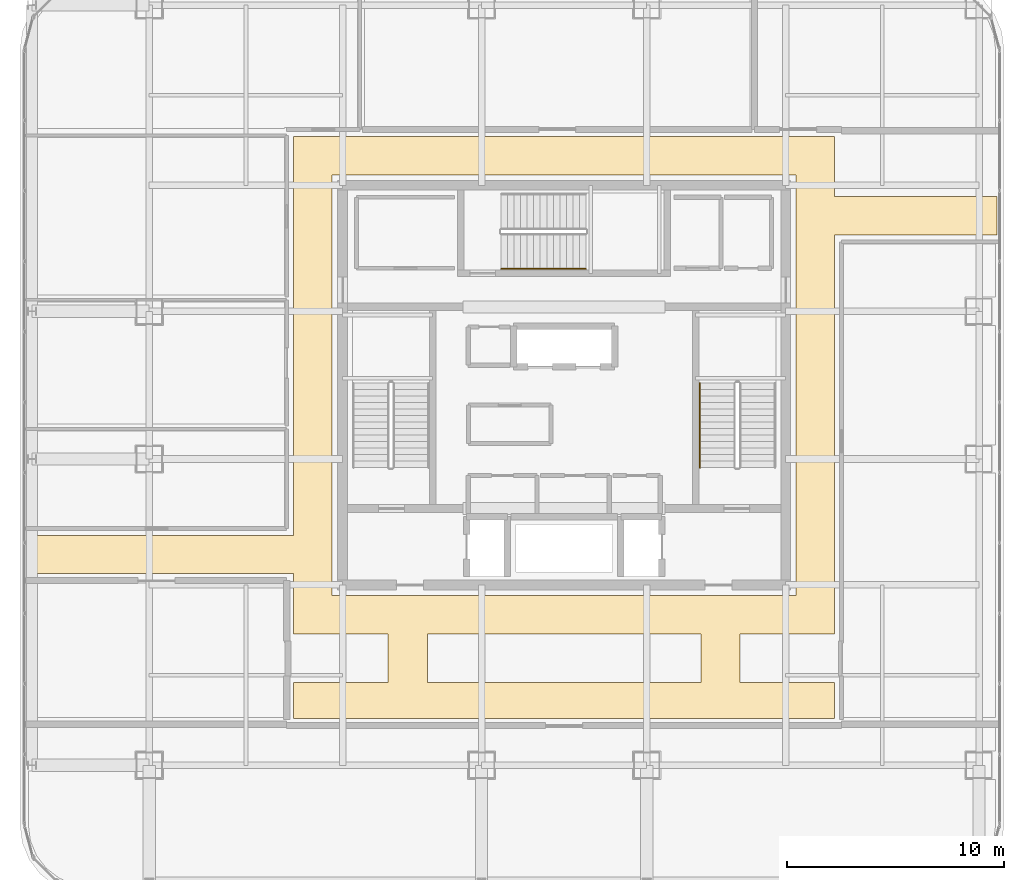
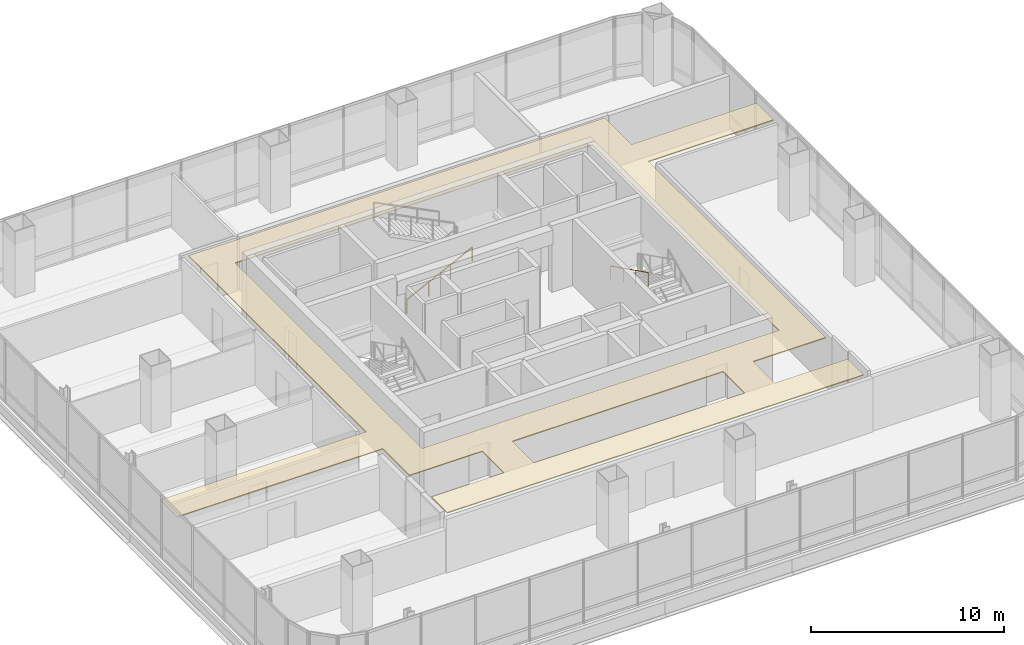
# One storey, part 40 of 42: 2 railings, 1 covering.
"""IFC4 building model written with IfcOpenShell, lengths in metres."""

from ifc_helpers import new_model, si_unit, direction, frame, origin, origin_2d, place, context, subcontext, project, spatial, polyline, circle, outline, extrude, material, layer, layer_set, type_object, element, save


model = new_model("IFC4")

# Units and contexts
model_context = context("Model", 3, precision=1e-05, world=origin(), true_north=direction((0.0, 1.0)))
body_context = subcontext(model_context, "Body", "Model", "MODEL_VIEW")
ifc_project = project(units=[si_unit("LENGTHUNIT", "METRE"), si_unit("AREAUNIT", "SQUARE_METRE"), si_unit("VOLUMEUNIT", "CUBIC_METRE"), si_unit("PLANEANGLEUNIT", "RADIAN"), si_unit("MASSUNIT", "GRAM", prefix="KILO")], contexts=[model_context])

# Site, building, storey
site_placement = place(None, origin())
site = spatial("IfcSite", under=ifc_project, at=site_placement, CompositionType="ELEMENT")
building_placement = place(site_placement, origin())
building = spatial("IfcBuilding", under=site, at=building_placement, Name="Punatoya Terracotta Tower", CompositionType="ELEMENT")
storey_placement = place(building_placement, frame((0.0, 0.0, 325.800048828125)))
storey = spatial("IfcBuildingStorey", under=building, at=storey_placement, Name="L77", CompositionType="ELEMENT", Elevation=325.800048828125)

# Covering
ifc_material_1 = material(Name="Acoustic Mineral Fibre Ceiling")
ifc_layer = layer(ifc_material_1, 0.06005859375)
ifc_layer_set = layer_set([ifc_layer], Name="Acoustic Mineral Fibre Ceiling")
covering_type = type_object("IfcCoveringType", Name="COV-CEIL-60", PredefinedType="CEILING", material=ifc_layer_set)
covering_placement = place(storey_placement, frame((0.0, 0.0, 3.389892578125)))
element("IfcCovering", 1, at=covering_placement, inside=storey, type_object=covering_type, Name="L77 Executive Circulation Corridor Acoustic Ceiling", PredefinedType="CEILING", context=body_context, shape_type="SweptSolid", body=[
    extrude(outline(polyline([(-12.449951171875, -15.35009765625), (12.449951171875, -15.35009765625), (12.449951171875, -13.699951171875), (8.10009765625, -13.699951171875), (8.10009765625, -11.449951171875), (12.449951171875, -11.449951171875), (12.449951171875, 6.919921875), (19.929931640625, 6.919921875), (19.929931640625, 8.679931640625), (12.449951171875, 8.679931640625), (12.449951171875, 11.449951171875), (-12.449951171875, 11.449951171875), (-12.449951171875, -6.919921875), (-24.72998046875, -6.919921875), (-24.72998046875, -8.679931640625), (-12.449951171875, -8.679931640625), (-12.449951171875, -11.449951171875), (-8.10009765625, -11.449951171875), (-8.10009765625, -13.699951171875), (-12.449951171875, -13.699951171875), (-12.449951171875, -15.35009765625)]), holes=[polyline([(10.679931640625, 9.679931640625), (10.679931640625, -9.679931640625), (-10.679931640625, -9.679931640625), (-10.679931640625, 9.679931640625), (10.679931640625, 9.679931640625)]), polyline([(6.300048828125, -13.699951171875), (-6.300048828125, -13.699951171875), (-6.300048828125, -11.449951171875), (6.300048828125, -11.449951171875), (6.300048828125, -13.699951171875)])]), origin(), (0.0, 0.0, 1.0), 0.06005859375),
])

# Railings
ifc_material_2 = material(Name="Steel S355", Category="steel")
railing_type = type_object("IfcRailingType", Name="RLG-HND-900", PredefinedType="HANDRAIL", material=ifc_material_2)
railing_1_placement = place(storey_placement, frame((6.25, 0.10009765625, 2.25)))
element("IfcRailing", 2, at=railing_1_placement, inside=storey, type_object=railing_type, Name="L77 ST-2 stair handrail 2", PredefinedType="HANDRAIL", context=body_context, shape_type="SweptSolid", body=[
    extrude(circle(Radius=0.02392578125, at=origin_2d()), frame((0.0, 0.0, 0.8759765625), z_axis=(0.0, -0.894438388696, 0.447191199406), x_axis=(1.0, 0.0, 0.0)), (0.0, 0.0, 1.0), 4.3603515625),
    extrude(circle(Radius=0.02099609375, at=origin_2d()), origin(), (0.0, 0.0, 1.0), 0.851806640625),
    extrude(circle(Radius=0.02099609375, at=origin_2d()), frame((0.0, -1.300048828125, 0.64990234375)), (0.0, 0.0, 1.0), 0.851806640625),
    extrude(circle(Radius=0.02099609375, at=origin_2d()), frame((0.0, -2.60009765625, 1.300048828125)), (0.0, 0.0, 1.0), 0.851806640625),
    extrude(circle(Radius=0.02099609375, at=origin_2d()), frame((0.0, -3.900146484375, 1.949951171875)), (0.0, 0.0, 1.0), 0.851806640625),
])
railing_2_placement = place(storey_placement, frame((-2.89990234375, 5.35009765625, 0.14990234375)))
element("IfcRailing", 3, at=railing_2_placement, inside=storey, type_object=railing_type, Name="L77 ST-3 stair handrail 1", PredefinedType="HANDRAIL", context=body_context, shape_type="SweptSolid", body=[
    extrude(circle(Radius=0.02392578125, at=origin_2d()), frame((0.0, 0.0, 0.8759765625), z_axis=(0.894427191, 0.0, 0.4472135955), x_axis=(0.0, 1.0, 0.0)), (0.0, 0.0, 1.0), 4.360107421875),
    extrude(circle(Radius=0.02099609375, at=origin_2d()), origin(), (0.0, 0.0, 1.0), 0.851806640625),
    extrude(circle(Radius=0.02099609375, at=origin_2d()), frame((1.300048828125, 0.0, 0.64990234375)), (0.0, 0.0, 1.0), 0.851806640625),
    extrude(circle(Radius=0.02099609375, at=origin_2d()), frame((2.599853515625, 0.0, 1.300048828125)), (0.0, 0.0, 1.0), 0.851806640625),
    extrude(circle(Radius=0.02099609375, at=origin_2d()), frame((3.89990234375, 0.0, 1.949951171875)), (0.0, 0.0, 1.0), 0.851806640625),
])

save(model, "model.ifc")
